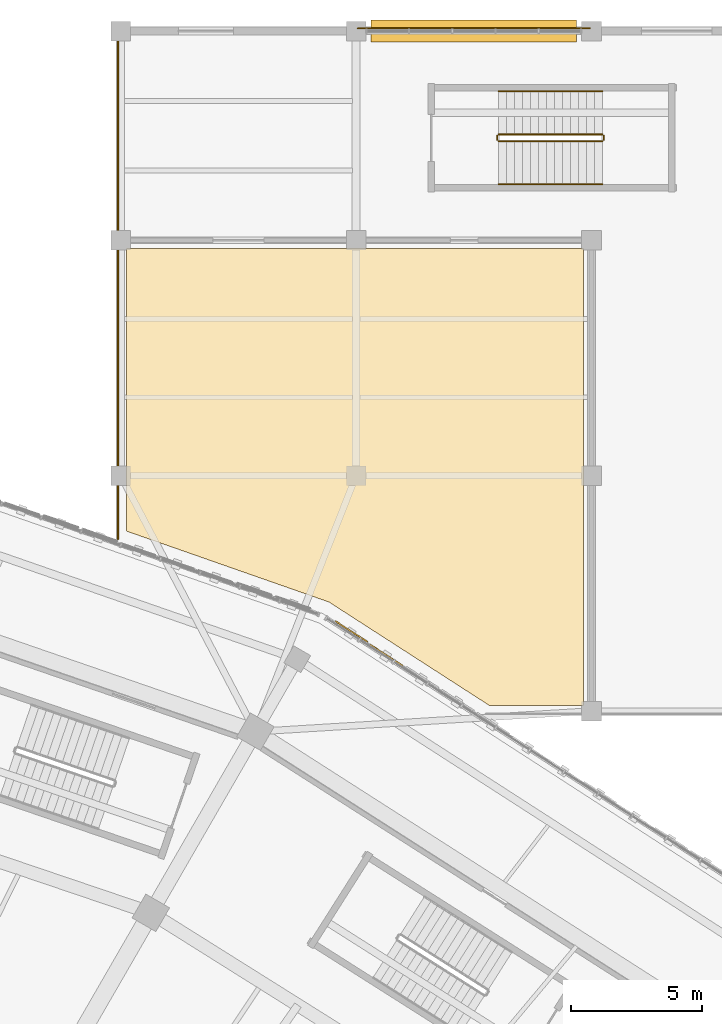
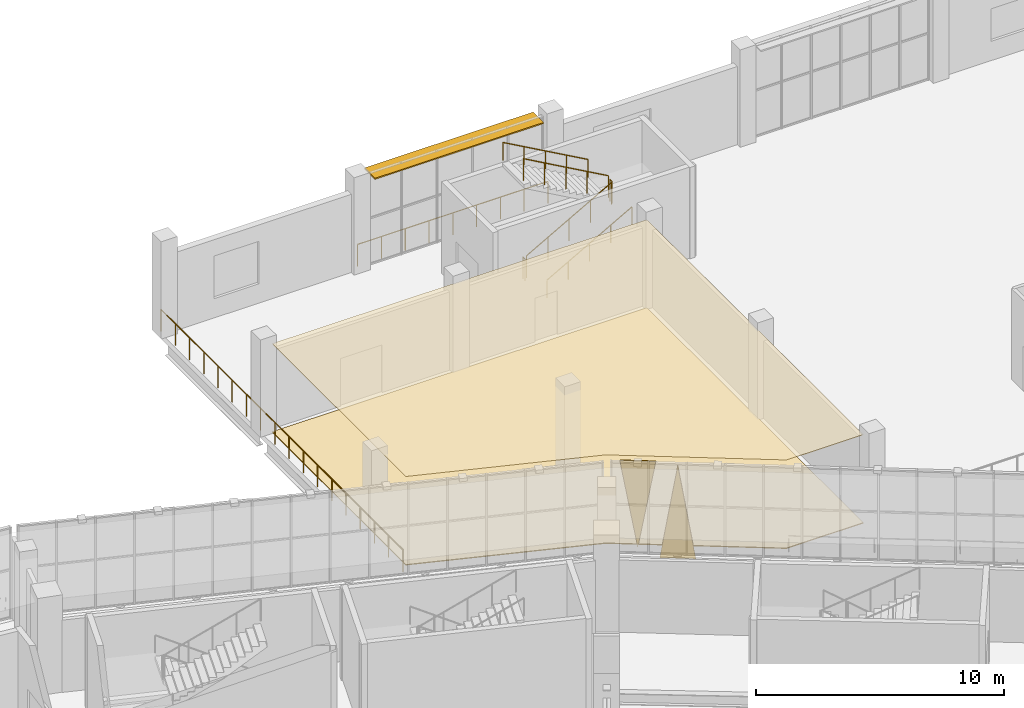
# One storey, part 176 of 179: 8 railings, 4 coverings, 1 shading device.
"""IFC4 building model written with IfcOpenShell, lengths in metres."""

from ifc_helpers import new_model, si_unit, direction, frame, origin, origin_2d, place, context, subcontext, project, spatial, polyline, rectangle, circle, outline, extrude, material, layer, layer_set, type_object, element, save


model = new_model("IFC4")

# Units and contexts
model_context = context("Model", 3, precision=1e-05, world=origin(), true_north=direction((0.0, 1.0)))
body_context = subcontext(model_context, "Body", "Model", "MODEL_VIEW")
ifc_project = project(units=[si_unit("LENGTHUNIT", "METRE"), si_unit("AREAUNIT", "SQUARE_METRE"), si_unit("VOLUMEUNIT", "CUBIC_METRE"), si_unit("PLANEANGLEUNIT", "RADIAN"), si_unit("MASSUNIT", "GRAM", prefix="KILO")], contexts=[model_context])

# Site, building, storey
site_placement = place(None, origin())
site = spatial("IfcSite", under=ifc_project, at=site_placement, CompositionType="ELEMENT")
building_placement = place(site_placement, origin())
building = spatial("IfcBuilding", under=site, at=building_placement, Name="Zevraka Park Crest Stadium", CompositionType="ELEMENT")
storey_placement = place(building_placement, frame((0.0, 0.0, 10.199951171875)))
storey = spatial("IfcBuildingStorey", under=building, at=storey_placement, Name="L02", CompositionType="ELEMENT", Elevation=10.199951171875)

# Coverings
ifc_material_1 = material(Name="Architectural golden-bronze perforated aluminium", Category="aluminium")
ifc_layer_1 = layer(ifc_material_1, 0.034912109375)
ifc_layer_set_1 = layer_set([ifc_layer_1], Name="Architectural golden-bronze perforated aluminium")
covering_type_1 = type_object("IfcCoveringType", Name="CLD01", PredefinedType="CLADDING", material=ifc_layer_set_1)
covering_1_placement = place(storey_placement, frame((162.778076171875, 159.756103515625, -0.239990234375), z_axis=(0.543209619056, 0.839597111575, 0.0), x_axis=(-0.839597111575, 0.543209619056, 0.0)))
element("IfcCovering", 1, at=covering_1_placement, inside=storey, type_object=covering_type_1, Name="Triangular Golden-Bronze Perforated Cladding L02-03-13", PredefinedType="CLADDING", context=body_context, shape_type="SweptSolid", body=[
    extrude(outline(polyline([(0.0, 0.0), (1.4579863089976983, 0.0), (0.7289931544988492, 4.56005859375), (0.0, 0.0)])), origin(), (0.0, 0.0, -1.0), 0.034912109375),
])
covering_2_placement = place(storey_placement, frame((160.195068359375, 161.427001953125, 4.47998046875), z_axis=(-0.543285997868, -0.839547690294, 1.5567826e-05), x_axis=(0.839547690396, -0.543285997934, 0.0)))
element("IfcCovering", 2, at=covering_2_placement, inside=storey, type_object=covering_type_1, Name="Triangular Golden-Bronze Perforated Cladding L02-03-14", PredefinedType="CLADDING", context=body_context, shape_type="SweptSolid", body=[
    extrude(outline(polyline([(0.0, 0.0), (1.457781335266565, -1.6940658945086007e-21), (0.7287881837843572, -4.260009766141223), (0.0, 0.0)])), origin(), (0.0, 0.0, -1.0), 0.034912109375),
])
ifc_material_2 = material(Name="Perforated acoustic mineral-fibre suspended ceiling", Category="other")
ifc_layer_2 = layer(ifc_material_2, 0.02490234375)
ifc_layer_set_2 = layer_set([ifc_layer_2], Name="Perforated acoustic mineral-fibre suspended ceiling")
covering_type_2 = type_object("IfcCoveringType", Name="CLG01", PredefinedType="CEILING", material=ifc_layer_set_2)
covering_3_placement = place(storey_placement, frame((0.0, 0.0, 4.360107421875)))
element("IfcCovering", 3, at=covering_3_placement, inside=storey, type_object=covering_type_2, Name="Acoustic Ceiling Supporter Members Pavilion Lounge L02-045", PredefinedType="CEILING", context=body_context, shape_type="SweptSolid", body=[
    extrude(outline(polyline([(166.10888671875, 158.205078125), (159.97998046875, 162.156982421875), (159.9599609375, 162.1689453125), (159.93798828125, 162.177978515625), (152.214111328125, 164.883056640625), (152.219970703125, 175.69091796875), (169.69091796875, 175.68505859375), (169.698974609375, 158.205078125), (166.10888671875, 158.205078125)])), origin(), (0.0, 0.0, 1.0), 0.02490234375),
])
ifc_material_3 = material(Name="Honed terrazzo and slip-resistant sports flooring", Category="other")
ifc_layer_3 = layer(ifc_material_3, 0.0400390625)
ifc_layer_set_3 = layer_set([ifc_layer_3], Name="Honed terrazzo and slip-resistant sports flooring")
covering_type_3 = type_object("IfcCoveringType", Name="FLR01", PredefinedType="FLOORING", material=ifc_layer_set_3)
covering_4_placement = place(storey_placement, origin())
element("IfcCovering", 4, at=covering_4_placement, inside=storey, type_object=covering_type_3, Name="Terrazzo Floor Finish Supporter Members Pavilion Lounge L02-045", PredefinedType="FLOORING", context=body_context, shape_type="SweptSolid", body=[
    extrude(outline(polyline([(166.10888671875, 158.205078125), (159.97998046875, 162.156982421875), (159.9599609375, 162.1689453125), (159.93798828125, 162.177978515625), (152.214111328125, 164.883056640625), (152.219970703125, 175.69091796875), (169.69091796875, 175.68505859375), (169.698974609375, 158.205078125), (166.10888671875, 158.205078125)])), origin(), (0.0, 0.0, 1.0), 0.0400390625),
])

# Railings
ifc_material_4 = material(Name="Galvanised and bronze-finished steel balustrade", Category="steel")
railing_type_1 = type_object("IfcRailingType", Name="GR01", PredefinedType="GUARDRAIL", material=ifc_material_4)
railing_1_placement = place(storey_placement, frame((151.89501953125, 164.56689453125, 0.0)))
element("IfcRailing", 5, at=railing_1_placement, inside=storey, type_object=railing_type_1, Name="Deck Edge Protection Guardrail GR01 L02-10", PredefinedType="GUARDRAIL", context=body_context, shape_type="SweptSolid", body=[
    extrude(circle(Radius=0.02392578125, at=origin_2d()), frame((0.0, 0.0, 1.076171875), z_axis=(0.0, 1.0, 0.0), x_axis=(-1.0, 0.0, 0.0)), (0.0, 0.0, 1.0), 19.5380859375),
    extrude(circle(Radius=0.02099609375, at=origin_2d()), origin(), (0.0, 0.0, 1.0), 1.052001953125),
    extrude(circle(Radius=0.02099609375, at=origin_2d()), frame((0.0, 1.1494140625, 0.0)), (0.0, 0.0, 1.0), 1.052001953125),
    extrude(circle(Radius=0.02099609375, at=origin_2d()), frame((0.0, 2.298583984375, 0.0)), (0.0, 0.0, 1.0), 1.052001953125),
    extrude(circle(Radius=0.02099609375, at=origin_2d()), frame((0.0, 3.447998046875, 0.0)), (0.0, 0.0, 1.0), 1.052001953125),
    extrude(circle(Radius=0.02099609375, at=origin_2d()), frame((0.0, 4.59716796875, 0.0)), (0.0, 0.0, 1.0), 1.052001953125),
    extrude(circle(Radius=0.02099609375, at=origin_2d()), frame((0.0, 5.74658203125, 0.0)), (0.0, 0.0, 1.0), 1.052001953125),
    extrude(circle(Radius=0.02099609375, at=origin_2d()), frame((0.0, 6.895751953125, 0.0)), (0.0, 0.0, 1.0), 1.052001953125),
    extrude(circle(Radius=0.02099609375, at=origin_2d()), frame((0.0, 8.045166015625, 0.0)), (0.0, 0.0, 1.0), 1.052001953125),
    extrude(circle(Radius=0.02099609375, at=origin_2d()), frame((0.0, 9.1943359375, 0.0)), (0.0, 0.0, 1.0), 1.052001953125),
    extrude(circle(Radius=0.02099609375, at=origin_2d()), frame((0.0, 10.34375, 0.0)), (0.0, 0.0, 1.0), 1.052001953125),
    extrude(circle(Radius=0.02099609375, at=origin_2d()), frame((0.0, 11.492919921875, 0.0)), (0.0, 0.0, 1.0), 1.052001953125),
    extrude(circle(Radius=0.02099609375, at=origin_2d()), frame((0.0, 12.642333984375, 0.0)), (0.0, 0.0, 1.0), 1.052001953125),
    extrude(circle(Radius=0.02099609375, at=origin_2d()), frame((0.0, 13.79150390625, 0.0)), (0.0, 0.0, 1.0), 1.052001953125),
    extrude(circle(Radius=0.02099609375, at=origin_2d()), frame((0.0, 14.94091796875, 0.0)), (0.0, 0.0, 1.0), 1.052001953125),
    extrude(circle(Radius=0.02099609375, at=origin_2d()), frame((0.0, 16.090087890625, 0.0)), (0.0, 0.0, 1.0), 1.052001953125),
    extrude(circle(Radius=0.02099609375, at=origin_2d()), frame((0.0, 17.239501953125, 0.0)), (0.0, 0.0, 1.0), 1.052001953125),
    extrude(circle(Radius=0.02099609375, at=origin_2d()), frame((0.0, 18.388671875, 0.0)), (0.0, 0.0, 1.0), 1.052001953125),
    extrude(circle(Radius=0.02099609375, at=origin_2d()), frame((0.0, 19.5380859375, 0.0)), (0.0, 0.0, 1.0), 1.052001953125),
])
railing_2_placement = place(storey_placement, frame((161.06591796875, 184.10498046875, 0.0)))
element("IfcRailing", 6, at=railing_2_placement, inside=storey, type_object=railing_type_1, Name="Deck Edge Protection Guardrail GR01 L02-11", PredefinedType="GUARDRAIL", context=body_context, shape_type="SweptSolid", body=[
    extrude(circle(Radius=0.02392578125, at=origin_2d()), frame((0.0, 0.0, 1.076171875), z_axis=(1.0, 0.0, 0.0), x_axis=(0.0, 1.0, 0.0)), (0.0, 0.0, 1.0), 8.8681640625),
    extrude(circle(Radius=0.02099609375, at=origin_2d()), origin(), (0.0, 0.0, 1.0), 1.052001953125),
    extrude(circle(Radius=0.02099609375, at=origin_2d()), frame((1.1083984375, 0.0, 0.0)), (0.0, 0.0, 1.0), 1.052001953125),
    extrude(circle(Radius=0.02099609375, at=origin_2d()), frame((2.217041015625, 0.0, 0.0)), (0.0, 0.0, 1.0), 1.052001953125),
    extrude(circle(Radius=0.02099609375, at=origin_2d()), frame((3.32568359375, 0.0, 0.0)), (0.0, 0.0, 1.0), 1.052001953125),
    extrude(circle(Radius=0.02099609375, at=origin_2d()), frame((4.43408203125, 0.0, 0.0)), (0.0, 0.0, 1.0), 1.052001953125),
    extrude(circle(Radius=0.02099609375, at=origin_2d()), frame((5.54248046875, 0.0, 0.0)), (0.0, 0.0, 1.0), 1.052001953125),
    extrude(circle(Radius=0.02099609375, at=origin_2d()), frame((6.651123046875, 0.0, 0.0)), (0.0, 0.0, 1.0), 1.052001953125),
    extrude(circle(Radius=0.02099609375, at=origin_2d()), frame((7.759765625, 0.0, 0.0)), (0.0, 0.0, 1.0), 1.052001953125),
    extrude(circle(Radius=0.02099609375, at=origin_2d()), frame((8.8681640625, 0.0, 0.0)), (0.0, 0.0, 1.0), 1.052001953125),
])
ifc_material_5 = material(Name="Powder-coated tubular steel stairwell guard", Category="steel")
railing_type_2 = type_object("IfcRailingType", Name="GR03", PredefinedType="GUARDRAIL", material=ifc_material_5)
railing_3_placement = place(storey_placement, frame((166.449951171875, 179.7900390625, 0.17138671875)))
element("IfcRailing", 7, at=railing_3_placement, inside=storey, type_object=railing_type_2, Name="L02 ST46 stair guard 1", PredefinedType="GUARDRAIL", context=body_context, shape_type="SweptSolid", body=[
    extrude(circle(Radius=0.02392578125, at=origin_2d()), frame((0.0, 0.0, 1.076171875), z_axis=(0.871726007364, 0.0, 0.489993640861), x_axis=(0.0, 1.0, 0.0)), (0.0, 0.0, 1.0), 4.548583984375),
    extrude(circle(Radius=0.02099609375, at=origin_2d()), origin(), (0.0, 0.0, 1.0), 1.052001953125),
    extrude(circle(Radius=0.02099609375, at=origin_2d()), frame((0.9912109375, 0.0, 0.55712890625)), (0.0, 0.0, 1.0), 1.052001953125),
    extrude(circle(Radius=0.02099609375, at=origin_2d()), frame((1.982421875, 0.0, 1.1142578125)), (0.0, 0.0, 1.0), 1.052001953125),
    extrude(circle(Radius=0.02099609375, at=origin_2d()), frame((2.973876953125, 0.0, 1.671630859375)), (0.0, 0.0, 1.0), 1.052001953125),
    extrude(circle(Radius=0.02099609375, at=origin_2d()), frame((3.965087890625, 0.0, 2.228759765625)), (0.0, 0.0, 1.0), 1.052001953125),
])
railing_4_placement = place(storey_placement, frame((170.465087890625, 179.840087890625, 2.400146484375)))
element("IfcRailing", 8, at=railing_4_placement, inside=storey, type_object=railing_type_2, Name="L02 ST46 stair guard 2", PredefinedType="GUARDRAIL", context=body_context, shape_type="SweptSolid", body=[
    extrude(circle(Radius=0.02392578125, at=origin_2d()), frame((0.0, 0.0, 1.076171875), z_axis=(0.0, 1.0, 0.0), x_axis=(-1.0, 0.0, 0.0)), (0.0, 0.0, 1.0), 0.159912109375),
    extrude(circle(Radius=0.02099609375, at=origin_2d()), origin(), (0.0, 0.0, 1.0), 1.052001953125),
    extrude(circle(Radius=0.02099609375, at=origin_2d()), frame((0.0, 0.159912109375, 0.0)), (0.0, 0.0, 1.0), 1.052001953125),
])
railing_5_placement = place(storey_placement, frame((170.4150390625, 180.050048828125, 2.571533203125)))
element("IfcRailing", 9, at=railing_5_placement, inside=storey, type_object=railing_type_2, Name="L02 ST46 stair guard 3", PredefinedType="GUARDRAIL", context=body_context, shape_type="SweptSolid", body=[
    extrude(circle(Radius=0.02392578125, at=origin_2d()), frame((0.0, 0.0, 1.076171875), z_axis=(-0.871748933509, 0.0, 0.489952851738), x_axis=(0.0, -1.0, 0.0)), (0.0, 0.0, 1.0), 4.54833984375),
    extrude(circle(Radius=0.02099609375, at=origin_2d()), origin(), (0.0, 0.0, 1.0), 1.052001953125),
    extrude(circle(Radius=0.02099609375, at=origin_2d()), frame((-0.9912109375, 0.0, 0.55712890625)), (0.0, 0.0, 1.0), 1.052001953125),
    extrude(circle(Radius=0.02099609375, at=origin_2d()), frame((-1.982421875, 0.0, 1.1142578125)), (0.0, 0.0, 1.0), 1.052001953125),
    extrude(circle(Radius=0.02099609375, at=origin_2d()), frame((-2.973876953125, 0.0, 1.67138671875)), (0.0, 0.0, 1.0), 1.052001953125),
    extrude(circle(Radius=0.02099609375, at=origin_2d()), frame((-3.965087890625, 0.0, 2.228515625)), (0.0, 0.0, 1.0), 1.052001953125),
])
railing_6_placement = place(storey_placement, frame((166.39990234375, 179.840087890625, 0.0)))
element("IfcRailing", 10, at=railing_6_placement, inside=storey, type_object=railing_type_2, Name="L02 ST46 stair guard 4", PredefinedType="GUARDRAIL", context=body_context, shape_type="SweptSolid", body=[
    extrude(circle(Radius=0.02392578125, at=origin_2d()), frame((0.0, 0.0, 1.076171875), z_axis=(0.0, 1.0, 0.0), x_axis=(-1.0, 0.0, 0.0)), (0.0, 0.0, 1.0), 0.159912109375),
    extrude(circle(Radius=0.02099609375, at=origin_2d()), origin(), (0.0, 0.0, 1.0), 1.052001953125),
    extrude(circle(Radius=0.02099609375, at=origin_2d()), frame((0.0, 0.159912109375, 0.0)), (0.0, 0.0, 1.0), 1.052001953125),
])
ifc_material_6 = material(Name="Brushed stainless steel continuous handrail", Category="steel")
railing_type_3 = type_object("IfcRailingType", Name="HR01", PredefinedType="HANDRAIL", material=ifc_material_6)
railing_7_placement = place(storey_placement, frame((166.449951171875, 178.139892578125, 0.17138671875)))
element("IfcRailing", 11, at=railing_7_placement, inside=storey, type_object=railing_type_3, Name="L02 ST46 stair handrail 1", PredefinedType="HANDRAIL", context=body_context, shape_type="SweptSolid", body=[
    extrude(circle(Radius=0.02392578125, at=origin_2d()), frame((0.0, 0.0, 0.8759765625), z_axis=(0.871726007364, 0.0, 0.489993640861), x_axis=(0.0, 1.0, 0.0)), (0.0, 0.0, 1.0), 4.548583984375),
    extrude(circle(Radius=0.02099609375, at=origin_2d()), origin(), (0.0, 0.0, 1.0), 0.851806640625),
    extrude(circle(Radius=0.02099609375, at=origin_2d()), frame((0.9912109375, 0.0, 0.55712890625)), (0.0, 0.0, 1.0), 0.851806640625),
    extrude(circle(Radius=0.02099609375, at=origin_2d()), frame((1.982421875, 0.0, 1.1142578125)), (0.0, 0.0, 1.0), 0.851806640625),
    extrude(circle(Radius=0.02099609375, at=origin_2d()), frame((2.973876953125, 0.0, 1.671630859375)), (0.0, 0.0, 1.0), 0.851806640625),
    extrude(circle(Radius=0.02099609375, at=origin_2d()), frame((3.965087890625, 0.0, 2.228759765625)), (0.0, 0.0, 1.0), 0.851806640625),
])
railing_8_placement = place(storey_placement, frame((170.4150390625, 181.699951171875, 2.571533203125)))
element("IfcRailing", 12, at=railing_8_placement, inside=storey, type_object=railing_type_3, Name="L02 ST46 stair handrail 2", PredefinedType="HANDRAIL", context=body_context, shape_type="SweptSolid", body=[
    extrude(circle(Radius=0.02392578125, at=origin_2d()), frame((0.0, 0.0, 0.8759765625), z_axis=(-0.871748933509, 0.0, 0.489952851738), x_axis=(0.0, -1.0, 0.0)), (0.0, 0.0, 1.0), 4.54833984375),
    extrude(circle(Radius=0.02099609375, at=origin_2d()), origin(), (0.0, 0.0, 1.0), 0.851806640625),
    extrude(circle(Radius=0.02099609375, at=origin_2d()), frame((-0.9912109375, 0.0, 0.55712890625)), (0.0, 0.0, 1.0), 0.851806640625),
    extrude(circle(Radius=0.02099609375, at=origin_2d()), frame((-1.982421875, 0.0, 1.1142578125)), (0.0, 0.0, 1.0), 0.851806640625),
    extrude(circle(Radius=0.02099609375, at=origin_2d()), frame((-2.973876953125, 0.0, 1.67138671875)), (0.0, 0.0, 1.0), 0.851806640625),
    extrude(circle(Radius=0.02099609375, at=origin_2d()), frame((-3.965087890625, 0.0, 2.228515625)), (0.0, 0.0, 1.0), 0.851806640625),
])

# Shading device
ifc_material_7 = material(Name="Architectural golden-bronze anodised bronze", Category="aluminium")
ifc_layer_4 = layer(ifc_material_7, 0.06005859375)
ifc_layer_set_4 = layer_set([ifc_layer_4], Name="Architectural golden-bronze anodised bronze")
shading_device_type = type_object("IfcShadingDeviceType", Name="SHD01", PredefinedType="USERDEFINED", material=ifc_layer_set_4)
shading_device_placement = place(storey_placement, frame((165.5, 184.0, 4.419921875), z_axis=(0.0, 0.0, 1.0), x_axis=(1.0, 0.0, 0.0)))
element("IfcShadingDevice", 13, at=shading_device_placement, inside=storey, type_object=shading_device_type, Name="Wing Bronze Solar Screen SHD01 L02-NGATE-N-2", ObjectType="SOLAR SCREEN", PredefinedType="USERDEFINED", context=body_context, shape_type="SweptSolid", body=[
    extrude(rectangle(XDim=7.8701171875, YDim=0.85009765625, at=origin_2d()), origin(), (0.0, 0.0, 1.0), 0.06005859375),
])

save(model, "model.ifc")
